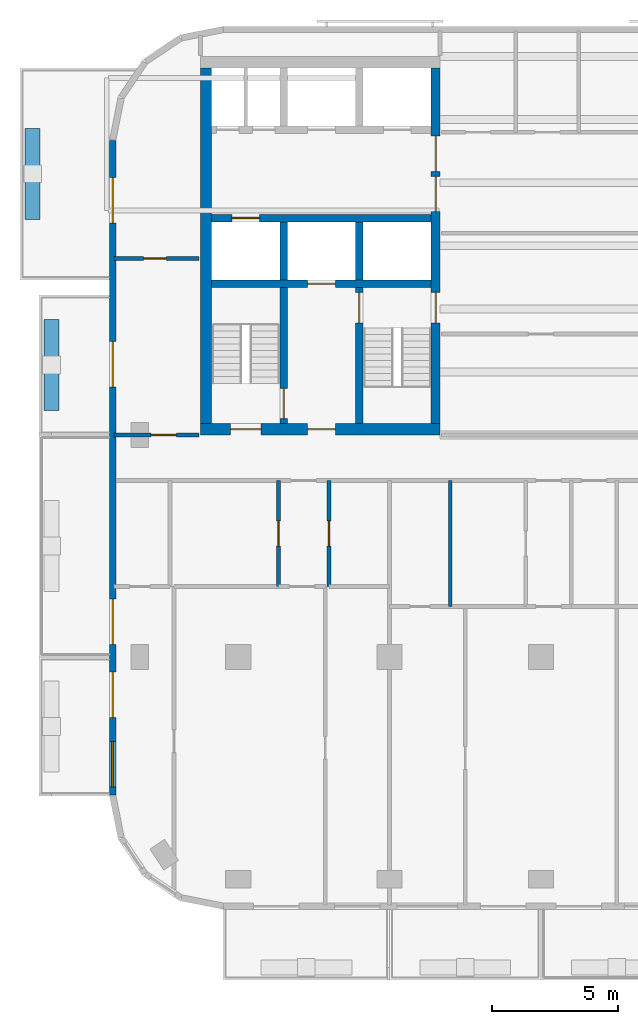
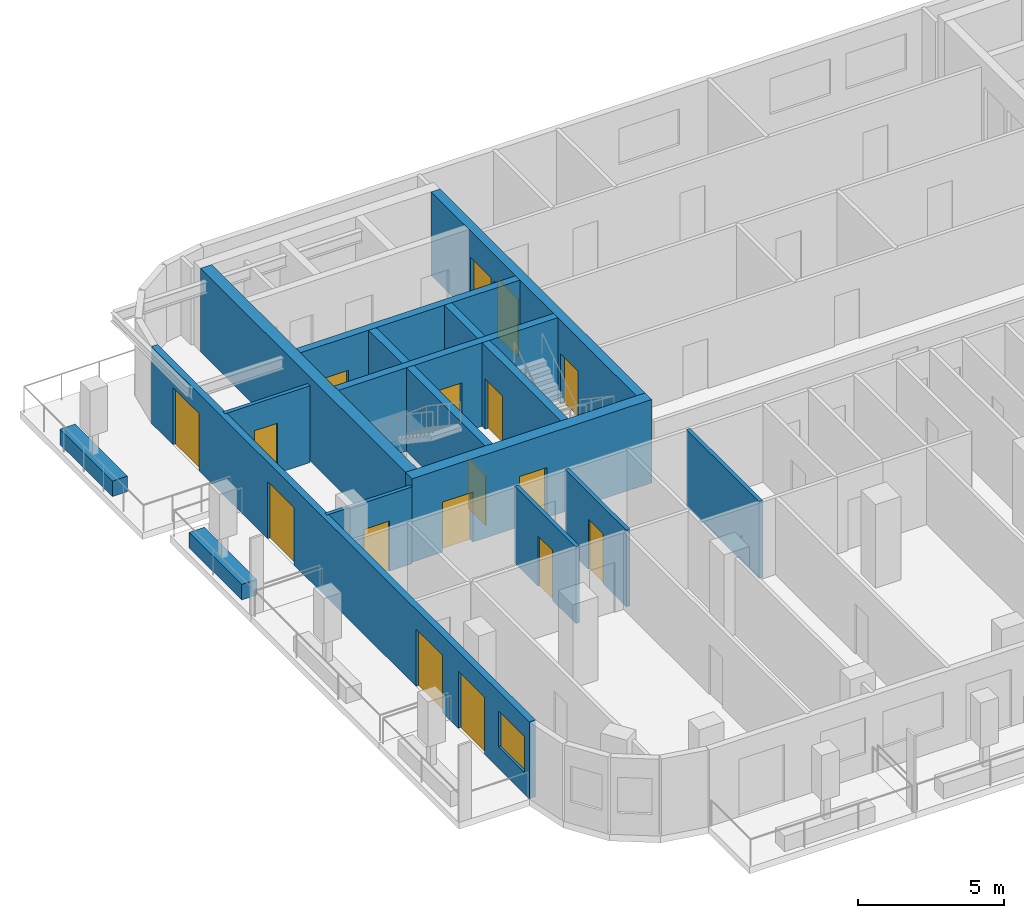
# One storey, part 3 of 11: 17 doors, 17 walls, 1 window, 18 openings.
"""IFC4 building model written with IfcOpenShell, lengths in metres."""

from ifc_helpers import new_model, si_unit, direction, frame, frame_2d, origin, place, context, subcontext, project, spatial, rectangle, extrude, material, layer, layer_set, type_object, element, fill, save


model = new_model("IFC4")

# Units and contexts
model_context = context("Model", 3, precision=1e-05, world=origin(), true_north=direction((0.0, 1.0)))
body_context = subcontext(model_context, "Body", "Model", "MODEL_VIEW")
ifc_project = project(units=[si_unit("LENGTHUNIT", "METRE"), si_unit("AREAUNIT", "SQUARE_METRE"), si_unit("VOLUMEUNIT", "CUBIC_METRE"), si_unit("PLANEANGLEUNIT", "RADIAN"), si_unit("MASSUNIT", "GRAM", prefix="KILO")], contexts=[model_context])

# Site, building, storey
site_placement = place(None, origin())
site = spatial("IfcSite", under=ifc_project, at=site_placement, CompositionType="ELEMENT")
building_placement = place(site_placement, origin())
building = spatial("IfcBuilding", under=site, at=building_placement, Name="Torana Hotel and Residences", CompositionType="ELEMENT")
storey_placement = place(building_placement, frame((0.0, 0.0, 284.10009765625)))
storey = spatial("IfcBuildingStorey", under=building, at=storey_placement, Name="L75", CompositionType="ELEMENT", Elevation=284.10009765625)

# Wall, opening, door
ifc_material_1 = material(Name="Concrete C60/75", Category="concrete")
ifc_layer_1 = layer(ifc_material_1, 0.300048828125)
ifc_layer_set_1 = layer_set([ifc_layer_1], Name="CORE WALL 300 C60/75")
wall_type_1 = type_object("IfcWallType", Name="CORE WALL 300 C60/75", PredefinedType="SHEAR", material=ifc_layer_set_1)
wall_1_placement = place(storey_placement, frame((-19.050048828125, -6.39990234375, 0.0), z_axis=(0.0, 0.0, 1.0), x_axis=(1.0, 0.0, 0.0)))
wall_1 = element("IfcWall", 1, at=wall_1_placement, inside=storey, type_object=wall_type_1, Name="Core wall W row-S", PredefinedType="SHEAR", context=body_context, shape_type="SweptSolid", body=[
    extrude(rectangle(XDim=8.699951171875, YDim=0.300048828125, at=frame_2d((4.35009765625, 0.0))), origin(), (0.0, 0.0, 1.0), 3.5),
])
opening_1_placement = place(wall_1_placement, frame((0.800048828125, 0.0, 0.0)))
opening_1 = element("IfcOpeningElement", 2, at=opening_1_placement, cuts=wall_1, Name="Opening LD", PredefinedType="OPENING", context=body_context, shape_type="SweptSolid", body=[
    extrude(rectangle(XDim=1.10009765625, YDim=2.10009765625, at=frame_2d((0.550048828125, 1.050048828125))), frame((0.0, 0.159912109375, 0.0), z_axis=(0.0, -1.0, 0.0), x_axis=(1.0, 0.0, 0.0)), (0.0, 0.0, 1.0), 0.320068359375),
])
ifc_material_2 = material(Name="Stainless steel 316", Category="steel")
door_type_1 = type_object("IfcDoorType", Name="LIFT LANDING DOOR LD 1100x2100", OperationType="DOUBLE_DOOR_SLIDING", PredefinedType="USERDEFINED", material=ifc_material_2)
door_1_placement = place(opening_1_placement, origin())
door_1 = element("IfcDoor", 3, at=door_1_placement, inside=storey, type_object=door_type_1, Name="Lift landing door SV1 L75", ObjectType="LIFT LANDING DOOR", OperationType="DOUBLE_DOOR_SLIDING", OverallHeight=2.10009765625, OverallWidth=1.10009765625, PredefinedType="USERDEFINED", context=body_context, shape_type="SweptSolid", body=[
    extrude(rectangle(XDim=1.10009765625, YDim=2.10009765625, at=frame_2d((0.550048828125, 1.050048828125))), frame((0.0, 0.02490234375, 0.0), z_axis=(0.0, -1.0, 0.0), x_axis=(1.0, 0.0, 0.0)), (0.0, 0.0, 1.0), 0.050048828125),
])
fill(opening_1, door_1)

wall_2_placement = place(storey_placement, frame((-19.050048828125, -9.0, 0.0), z_axis=(0.0, 0.0, 1.0), x_axis=(1.0, 0.0, 0.0)))
wall_2 = element("IfcWall", 4, at=wall_2_placement, inside=storey, type_object=wall_type_1, Name="Core wall W band", PredefinedType="SHEAR", context=body_context, shape_type="SweptSolid", body=[
    extrude(rectangle(XDim=8.699951171875, YDim=0.300048828125, at=frame_2d((4.35009765625, 0.0))), origin(), (0.0, 0.0, 1.0), 3.5),
])
opening_2_placement = place(wall_2_placement, frame((3.800048828125, 0.0, 0.0)))
opening_2 = element("IfcOpeningElement", 5, at=opening_2_placement, cuts=wall_2, Name="Opening LD", PredefinedType="OPENING", context=body_context, shape_type="SweptSolid", body=[
    extrude(rectangle(XDim=1.10009765625, YDim=2.10009765625, at=frame_2d((0.550048828125, 1.050048828125))), frame((0.0, 0.159912109375, 0.0), z_axis=(0.0, -1.0, 0.0), x_axis=(1.0, 0.0, 0.0)), (0.0, 0.0, 1.0), 0.320068359375),
])
door_2_placement = place(opening_2_placement, origin())
door_2 = element("IfcDoor", 6, at=door_2_placement, inside=storey, type_object=door_type_1, Name="Lift landing door FF1 L75", ObjectType="LIFT LANDING DOOR", OperationType="DOUBLE_DOOR_SLIDING", OverallHeight=2.10009765625, OverallWidth=1.10009765625, PredefinedType="USERDEFINED", context=body_context, shape_type="SweptSolid", body=[
    extrude(rectangle(XDim=1.10009765625, YDim=2.10009765625, at=frame_2d((0.550048828125, 1.050048828125))), frame((0.0, 0.02490234375, 0.0), z_axis=(0.0, -1.0, 0.0), x_axis=(1.0, 0.0, 0.0)), (0.0, 0.0, 1.0), 0.050048828125),
])
fill(opening_2, door_2)

# Wall
wall_3_placement = place(storey_placement, frame((-13.199951171875, -8.85009765625, 0.0), z_axis=(0.0, 0.0, 1.0), x_axis=(0.0, 1.0, 0.0)))
element("IfcWall", 7, at=wall_3_placement, inside=storey, type_object=wall_type_1, Name="Core wall W x3.05-S", PredefinedType="SHEAR", context=body_context, shape_type="SweptSolid", body=[
    extrude(rectangle(XDim=2.300048828125, YDim=0.300048828125, at=frame_2d((1.14990234375, 0.0))), origin(), (0.0, 0.0, 1.0), 3.5),
])

# Wall, opening, door
wall_4_placement = place(storey_placement, frame((-13.199951171875, -14.550048828125, 0.0), z_axis=(0.0, 0.0, 1.0), x_axis=(0.0, 1.0, 0.0)))
wall_4 = element("IfcWall", 8, at=wall_4_placement, inside=storey, type_object=wall_type_1, Name="Core wall W x3.05-band", PredefinedType="SHEAR", context=body_context, shape_type="SweptSolid", body=[
    extrude(rectangle(XDim=5.400146484375, YDim=0.300048828125, at=frame_2d((2.7001953125, 0.0))), origin(), (0.0, 0.0, 1.0), 3.5),
])
opening_3_placement = place(wall_4_placement, frame((4.0, 0.0, 0.0)))
opening_3 = element("IfcOpeningElement", 9, at=opening_3_placement, cuts=wall_4, Name="Opening L75-08", PredefinedType="OPENING", context=body_context, shape_type="SweptSolid", body=[
    extrude(rectangle(XDim=1.199951171875, YDim=2.10009765625, at=frame_2d((0.60009765625, 1.050048828125))), frame((0.0, 0.159912109375, 0.0), z_axis=(0.0, -1.0, 0.0), x_axis=(1.0, 0.0, 0.0)), (0.0, 0.0, 1.0), 0.320068359375),
])
ifc_material_3 = material(Name="Steel S235", Category="steel")
door_type_2 = type_object("IfcDoorType", Name="STAIR FIRE DOOR D3 1200x2100", OperationType="SINGLE_SWING_LEFT", PredefinedType="DOOR", material=ifc_material_3)
door_3_placement = place(opening_3_placement, frame((0.60009765625, 0.0, 0.0), z_axis=(0.0, 0.0, 1.0), x_axis=(-1.0, 0.0, 0.0)))
door_3 = element("IfcDoor", 10, at=door_3_placement, inside=storey, type_object=door_type_2, Name="Stair-A-lobby door L75", OperationType="SINGLE_SWING_RIGHT", OverallHeight=2.10009765625, OverallWidth=1.199951171875, PredefinedType="DOOR", context=body_context, shape_type="SweptSolid", body=[
    extrude(rectangle(XDim=1.199951171875, YDim=2.10009765625, at=frame_2d((0.0, 1.050048828125))), frame((0.0, -0.02490234375, 0.0), z_axis=(0.0, 1.0, 0.0), x_axis=(-1.0, 0.0, 0.0)), (0.0, 0.0, 1.0), 0.050048828125),
])
fill(opening_3, door_3)

# Wall
wall_5_placement = place(storey_placement, frame((-16.199951171875, -8.85009765625, 0.0), z_axis=(0.0, 0.0, 1.0), x_axis=(0.0, 1.0, 0.0)))
element("IfcWall", 11, at=wall_5_placement, inside=storey, type_object=wall_type_1, Name="Core wall W x6.05-S", PredefinedType="SHEAR", context=body_context, shape_type="SweptSolid", body=[
    extrude(rectangle(XDim=2.300048828125, YDim=0.300048828125, at=frame_2d((1.14990234375, 0.0))), origin(), (0.0, 0.0, 1.0), 3.5),
])

# Wall, opening, door
wall_6_placement = place(storey_placement, frame((-16.199951171875, -14.550048828125, 0.0), z_axis=(0.0, 0.0, 1.0), x_axis=(0.0, 1.0, 0.0)))
wall_6 = element("IfcWall", 12, at=wall_6_placement, inside=storey, type_object=wall_type_1, Name="Core wall W x6.05-band", PredefinedType="SHEAR", context=body_context, shape_type="SweptSolid", body=[
    extrude(rectangle(XDim=5.400146484375, YDim=0.300048828125, at=frame_2d((2.7001953125, 0.0))), origin(), (0.0, 0.0, 1.0), 3.5),
])
opening_4_placement = place(wall_6_placement, frame((0.199951171875, 0.0, 0.0)))
opening_4 = element("IfcOpeningElement", 13, at=opening_4_placement, cuts=wall_6, Name="Opening L75-09", PredefinedType="OPENING", context=body_context, shape_type="SweptSolid", body=[
    extrude(rectangle(XDim=1.199951171875, YDim=2.10009765625, at=frame_2d((0.60009765625, 1.050048828125))), frame((0.0, 0.159912109375, 0.0), z_axis=(0.0, -1.0, 0.0), x_axis=(1.0, 0.0, 0.0)), (0.0, 0.0, 1.0), 0.320068359375),
])
door_4_placement = place(opening_4_placement, origin())
door_4 = element("IfcDoor", 14, at=door_4_placement, inside=storey, type_object=door_type_2, Name="Stair-B-lobby door L75", OperationType="SINGLE_SWING_RIGHT", OverallHeight=2.10009765625, OverallWidth=1.199951171875, PredefinedType="DOOR", context=body_context, shape_type="SweptSolid", body=[
    extrude(rectangle(XDim=1.199951171875, YDim=2.10009765625, at=frame_2d((0.60009765625, 1.050048828125))), frame((0.0, 0.02490234375, 0.0), z_axis=(0.0, -1.0, 0.0), x_axis=(1.0, 0.0, 0.0)), (0.0, 0.0, 1.0), 0.050048828125),
])
fill(opening_4, door_4)

# Wall, openings, doors
ifc_material_4 = material(Name="Concrete C60/75", Category="concrete")
ifc_layer_2 = layer(ifc_material_4, 0.35009765625)
ifc_layer_set_2 = layer_set([ifc_layer_2], Name="CORE WALL 350 C60/75")
wall_type_2 = type_object("IfcWallType", Name="CORE WALL 350 C60/75", PredefinedType="SHEAR", material=ifc_layer_set_2)
wall_7_placement = place(storey_placement, frame((-10.175048828125, -14.550048828125, 0.0), z_axis=(0.0, 0.0, 1.0), x_axis=(0.0, 1.0, 0.0)))
wall_7 = element("IfcWall", 15, at=wall_7_placement, inside=storey, type_object=wall_type_2, Name="Core wall W arch", PredefinedType="SHEAR", context=body_context, shape_type="SweptSolid", body=[
    extrude(rectangle(XDim=14.10009765625, YDim=0.35009765625, at=frame_2d((7.050048828125, 0.0))), origin(), (0.0, 0.0, 1.0), 3.5),
])
opening_5_placement = place(wall_7_placement, frame((8.39990234375, 0.0, 0.0)))
opening_5 = element("IfcOpeningElement", 16, at=opening_5_placement, cuts=wall_7, Name="Opening L75-01", PredefinedType="OPENING", context=body_context, shape_type="SweptSolid", body=[
    extrude(rectangle(XDim=1.39990234375, YDim=2.39990234375, at=frame_2d((0.699951171875, 1.199951171875))), frame((0.0, 0.18505859375, 0.0), z_axis=(0.0, -1.0, 0.0), x_axis=(1.0, 0.0, 0.0)), (0.0, 0.0, 1.0), 0.3701171875),
])
opening_6_placement = place(wall_7_placement, frame((10.0, 0.0, 0.0)))
opening_6 = element("IfcOpeningElement", 17, at=opening_6_placement, cuts=wall_7, Name="Opening L75-02", PredefinedType="OPENING", context=body_context, shape_type="SweptSolid", body=[
    extrude(rectangle(XDim=1.39990234375, YDim=2.39990234375, at=frame_2d((0.699951171875, 1.199951171875))), frame((0.0, 0.18505859375, 0.0), z_axis=(0.0, -1.0, 0.0), x_axis=(1.0, 0.0, 0.0)), (0.0, 0.0, 1.0), 0.3701171875),
])
opening_7_placement = place(wall_7_placement, frame((4.0, 0.0, 0.0)))
opening_7 = element("IfcOpeningElement", 18, at=opening_7_placement, cuts=wall_7, Name="Opening L75-03", PredefinedType="OPENING", context=body_context, shape_type="SweptSolid", body=[
    extrude(rectangle(XDim=1.199951171875, YDim=2.10009765625, at=frame_2d((0.60009765625, 1.050048828125))), frame((0.0, 0.18505859375, 0.0), z_axis=(0.0, -1.0, 0.0), x_axis=(1.0, 0.0, 0.0)), (0.0, 0.0, 1.0), 0.3701171875),
])
ifc_material_5 = material(Name="Steel S235", Category="steel")
door_type_3 = type_object("IfcDoorType", Name="LOBBY FIRE DOOR D4 1400x2400", OperationType="DOUBLE_DOOR_SINGLE_SWING", PredefinedType="DOOR", material=ifc_material_5)
door_5_placement = place(opening_5_placement, origin())
door_5 = element("IfcDoor", 19, at=door_5_placement, inside=storey, type_object=door_type_3, Name="Lobby-1 door L75", OperationType="DOUBLE_DOOR_SINGLE_SWING", OverallHeight=2.39990234375, OverallWidth=1.39990234375, PredefinedType="DOOR", context=body_context, shape_type="SweptSolid", body=[
    extrude(rectangle(XDim=1.39990234375, YDim=2.39990234375, at=frame_2d((0.699951171875, 1.199951171875))), frame((0.0, 0.02490234375, 0.0), z_axis=(0.0, -1.0, 0.0), x_axis=(1.0, 0.0, 0.0)), (0.0, 0.0, 1.0), 0.050048828125),
])
fill(opening_5, door_5)
door_6_placement = place(opening_6_placement, origin())
door_6 = element("IfcDoor", 20, at=door_6_placement, inside=storey, type_object=door_type_3, Name="Lobby-2 door L75", OperationType="DOUBLE_DOOR_SINGLE_SWING", OverallHeight=2.39990234375, OverallWidth=1.39990234375, PredefinedType="DOOR", context=body_context, shape_type="SweptSolid", body=[
    extrude(rectangle(XDim=1.39990234375, YDim=2.39990234375, at=frame_2d((0.699951171875, 1.199951171875))), frame((0.0, 0.02490234375, 0.0), z_axis=(0.0, -1.0, 0.0), x_axis=(1.0, 0.0, 0.0)), (0.0, 0.0, 1.0), 0.050048828125),
])
fill(opening_6, door_6)
door_7_placement = place(opening_7_placement, origin())
door_7 = element("IfcDoor", 21, at=door_7_placement, inside=storey, type_object=door_type_2, Name="Stair-A door L75", OperationType="SINGLE_SWING_LEFT", OverallHeight=2.10009765625, OverallWidth=1.199951171875, PredefinedType="DOOR", context=body_context, shape_type="SweptSolid", body=[
    extrude(rectangle(XDim=1.199951171875, YDim=2.10009765625, at=frame_2d((0.60009765625, 1.050048828125))), frame((0.0, 0.02490234375, 0.0), z_axis=(0.0, -1.0, 0.0), x_axis=(1.0, 0.0, 0.0)), (0.0, 0.0, 1.0), 0.050048828125),
])
fill(opening_7, door_7)

ifc_material_6 = material(Name="Concrete C60/75", Category="concrete")
ifc_layer_3 = layer(ifc_material_6, 0.449951171875)
ifc_layer_set_3 = layer_set([ifc_layer_3], Name="CORE WALL 450 C60/75")
wall_type_3 = type_object("IfcWallType", Name="CORE WALL 450 C60/75", PredefinedType="SHEAR", material=ifc_layer_set_3)
wall_8_placement = place(storey_placement, frame((-19.5, -14.77490234375, 0.0), z_axis=(0.0, 0.0, 1.0), x_axis=(1.0, 0.0, 0.0)))
wall_8 = element("IfcWall", 22, at=wall_8_placement, inside=storey, type_object=wall_type_3, Name="Core wall W front", PredefinedType="SHEAR", context=body_context, shape_type="SweptSolid", body=[
    extrude(rectangle(XDim=9.5, YDim=0.449951171875, at=frame_2d((4.75, 0.0))), origin(), (0.0, 0.0, 1.0), 3.5),
])
opening_8_placement = place(wall_8_placement, frame((1.199951171875, 0.0, 0.0)))
opening_8 = element("IfcOpeningElement", 23, at=opening_8_placement, cuts=wall_8, Name="Opening L75-04", PredefinedType="OPENING", context=body_context, shape_type="SweptSolid", body=[
    extrude(rectangle(XDim=1.199951171875, YDim=2.10009765625, at=frame_2d((0.60009765625, 1.050048828125))), frame((0.0, 0.23486328125, 0.0), z_axis=(0.0, -1.0, 0.0), x_axis=(1.0, 0.0, 0.0)), (0.0, 0.0, 1.0), 0.469970703125),
])
opening_9_placement = place(wall_8_placement, frame((4.25, 0.0, 0.0)))
opening_9 = element("IfcOpeningElement", 24, at=opening_9_placement, cuts=wall_8, Name="Opening L75-05", PredefinedType="OPENING", context=body_context, shape_type="SweptSolid", body=[
    extrude(rectangle(XDim=1.10009765625, YDim=2.10009765625, at=frame_2d((0.550048828125, 1.050048828125))), frame((0.0, 0.23486328125, 0.0), z_axis=(0.0, -1.0, 0.0), x_axis=(1.0, 0.0, 0.0)), (0.0, 0.0, 1.0), 0.469970703125),
])
ifc_material_7 = material(Name="Steel S235", Category="steel")
door_type_4 = type_object("IfcDoorType", Name="FIRE-FIGHTING LOBBY DOOR D8 1100x2100", OperationType="SINGLE_SWING_LEFT", PredefinedType="DOOR", material=ifc_material_7)
door_8_placement = place(opening_9_placement, origin())
door_8 = element("IfcDoor", 25, at=door_8_placement, inside=storey, type_object=door_type_4, Name="FF-lobby door L75", OperationType="SINGLE_SWING_RIGHT", OverallHeight=2.10009765625, OverallWidth=1.10009765625, PredefinedType="DOOR", context=body_context, shape_type="SweptSolid", body=[
    extrude(rectangle(XDim=1.10009765625, YDim=2.10009765625, at=frame_2d((0.550048828125, 1.050048828125))), frame((0.0, 0.02490234375, 0.0), z_axis=(0.0, -1.0, 0.0), x_axis=(1.0, 0.0, 0.0)), (0.0, 0.0, 1.0), 0.050048828125),
])
fill(opening_9, door_8)
door_9_placement = place(opening_8_placement, origin())
door_9 = element("IfcDoor", 26, at=door_9_placement, inside=storey, type_object=door_type_2, Name="Stair-B door L75", OperationType="SINGLE_SWING_RIGHT", OverallHeight=2.10009765625, OverallWidth=1.199951171875, PredefinedType="DOOR", context=body_context, shape_type="SweptSolid", body=[
    extrude(rectangle(XDim=1.199951171875, YDim=2.10009765625, at=frame_2d((0.60009765625, 1.050048828125))), frame((0.0, 0.02490234375, 0.0), z_axis=(0.0, -1.0, 0.0), x_axis=(1.0, 0.0, 0.0)), (0.0, 0.0, 1.0), 0.050048828125),
])
fill(opening_8, door_9)

# Wall
wall_9_placement = place(storey_placement, frame((-19.27490234375, -14.550048828125, 0.0), z_axis=(0.0, 0.0, 1.0), x_axis=(0.0, 1.0, 0.0)))
element("IfcWall", 27, at=wall_9_placement, inside=storey, type_object=wall_type_3, Name="Core wall W outer", PredefinedType="SHEAR", context=body_context, shape_type="SweptSolid", body=[
    extrude(rectangle(XDim=14.10009765625, YDim=0.449951171875, at=frame_2d((7.050048828125, 0.0))), origin(), (0.0, 0.0, 1.0), 3.5),
])

# Wall, openings, doors, window
ifc_material_8 = material(Name="Black aluminium composite panel", Category="aluminium")
ifc_layer_4 = layer(ifc_material_8, 0.00390625, Name="Cladding", Category="cladding")
ifc_material_9 = material(Name="Ventilated air cavity")
ifc_layer_5 = layer(ifc_material_9, 0.0400390625, Name="Ventilated cavity", Category="cavity")
ifc_material_10 = material(Name="Mineral wool insulation")
ifc_layer_6 = layer(ifc_material_10, 0.090087890625, Name="Insulation", Category="insulation")
ifc_material_11 = material(Name="Steel S280GD", Category="steel")
ifc_layer_7 = layer(ifc_material_11, 0.092041015625, Name="Steel stud frame", Category="structure")
ifc_material_12 = material(Name="Fire rated plasterboard")
ifc_layer_8 = layer(ifc_material_12, 0.011962890625, Name="Inner board", Category="finish")
ifc_layer_9 = layer(ifc_material_12, 0.011962890625, Name="Second board", Category="finish")
ifc_layer_set_4 = layer_set([ifc_layer_4, ifc_layer_5, ifc_layer_6, ifc_layer_7, ifc_layer_8, ifc_layer_9], Name="EW1 EXTERNAL WALL BLACK METAL CLAD 250")
wall_type_4 = type_object("IfcWallType", Name="EW1 EXTERNAL WALL BLACK METAL CLAD 250", PredefinedType="SOLIDWALL", material=ifc_layer_set_4)
wall_10_placement = place(storey_placement, frame((-22.97509765625, -3.32470703125, 0.0), z_axis=(0.0, 0.0, 1.0), x_axis=(0.0, -1.0, 0.0)))
wall_10 = element("IfcWall", 28, at=wall_10_placement, inside=storey, type_object=wall_type_4, Name="External wall L75 e0.9", PredefinedType="SOLIDWALL", context=body_context, shape_type="SweptSolid", body=[
    extrude(rectangle(XDim=25.95068359375, YDim=0.25, at=frame_2d((12.975341796875, 0.0))), origin(), (0.0, 0.0, 1.0), 3.219970703125),
])
opening_10_placement = place(wall_10_placement, frame((1.475341796875, 0.0, 0.0)))
opening_10 = element("IfcOpeningElement", 29, at=opening_10_placement, cuts=wall_10, Name="Opening L75-E11", PredefinedType="OPENING", context=body_context, shape_type="SweptSolid", body=[
    extrude(rectangle(XDim=1.800048828125, YDim=2.39990234375, at=frame_2d((0.89990234375, 1.199951171875))), frame((0.0, 0.135009765625, 0.0), z_axis=(0.0, -1.0, 0.0), x_axis=(1.0, 0.0, 0.0)), (0.0, 0.0, 1.0), 0.27001953125),
])
opening_11_placement = place(wall_10_placement, frame((7.975341796875, 0.0, 0.0)))
opening_11 = element("IfcOpeningElement", 30, at=opening_11_placement, cuts=wall_10, Name="Opening L75-E12", PredefinedType="OPENING", context=body_context, shape_type="SweptSolid", body=[
    extrude(rectangle(XDim=1.800048828125, YDim=2.39990234375, at=frame_2d((0.89990234375, 1.199951171875))), frame((0.0, 0.135009765625, 0.0), z_axis=(0.0, -1.0, 0.0), x_axis=(1.0, 0.0, 0.0)), (0.0, 0.0, 1.0), 0.27001953125),
])
opening_12_placement = place(wall_10_placement, frame((18.17529296875, 0.0, 0.0)))
opening_12 = element("IfcOpeningElement", 31, at=opening_12_placement, cuts=wall_10, Name="Opening L75-E13", PredefinedType="OPENING", context=body_context, shape_type="SweptSolid", body=[
    extrude(rectangle(XDim=1.800048828125, YDim=2.39990234375, at=frame_2d((0.89990234375, 1.199951171875))), frame((0.0, 0.135009765625, 0.0), z_axis=(0.0, -1.0, 0.0), x_axis=(1.0, 0.0, 0.0)), (0.0, 0.0, 1.0), 0.27001953125),
])
opening_13_placement = place(wall_10_placement, frame((21.075439453125, 0.0, 0.0)))
opening_13 = element("IfcOpeningElement", 32, at=opening_13_placement, cuts=wall_10, Name="Opening L75-E14", PredefinedType="OPENING", context=body_context, shape_type="SweptSolid", body=[
    extrude(rectangle(XDim=1.800048828125, YDim=2.39990234375, at=frame_2d((0.89990234375, 1.199951171875))), frame((0.0, 0.135009765625, 0.0), z_axis=(0.0, -1.0, 0.0), x_axis=(1.0, 0.0, 0.0)), (0.0, 0.0, 1.0), 0.27001953125),
])
opening_14_placement = place(wall_10_placement, frame((23.825439453125, 0.0, 0.89990234375)))
opening_14 = element("IfcOpeningElement", 33, at=opening_14_placement, cuts=wall_10, Name="Opening W4", PredefinedType="OPENING", context=body_context, shape_type="SweptSolid", body=[
    extrude(rectangle(XDim=1.800048828125, YDim=1.5, at=frame_2d((0.89990234375, 0.75))), frame((0.0, 0.135009765625, 0.0), z_axis=(0.0, -1.0, 0.0), x_axis=(1.0, 0.0, 0.0)), (0.0, 0.0, 1.0), 0.27001953125),
])
ifc_material_13 = material(Name="Dark glass in black aluminium frame", Category="aluminium")
door_type_5 = type_object("IfcDoorType", Name="DB1 BALCONY DOOR 1800x2400", OperationType="DOUBLE_DOOR_SINGLE_SWING", PredefinedType="DOOR", material=ifc_material_13)
door_10_placement = place(opening_10_placement, origin())
door_10 = element("IfcDoor", 34, at=door_10_placement, inside=storey, type_object=door_type_5, Name="Balcony door L75", OperationType="DOUBLE_DOOR_SINGLE_SWING", OverallHeight=2.39990234375, OverallWidth=1.800048828125, PredefinedType="DOOR", context=body_context, shape_type="SweptSolid", body=[
    extrude(rectangle(XDim=1.800048828125, YDim=2.39990234375, at=frame_2d((0.89990234375, 1.199951171875))), frame((0.0, 0.02490234375, 0.0), z_axis=(0.0, -1.0, 0.0), x_axis=(1.0, 0.0, 0.0)), (0.0, 0.0, 1.0), 0.050048828125),
])
fill(opening_10, door_10)
door_11_placement = place(opening_11_placement, origin())
door_11 = element("IfcDoor", 35, at=door_11_placement, inside=storey, type_object=door_type_5, Name="Balcony door L75", OperationType="DOUBLE_DOOR_SINGLE_SWING", OverallHeight=2.39990234375, OverallWidth=1.800048828125, PredefinedType="DOOR", context=body_context, shape_type="SweptSolid", body=[
    extrude(rectangle(XDim=1.800048828125, YDim=2.39990234375, at=frame_2d((0.89990234375, 1.199951171875))), frame((0.0, 0.02490234375, 0.0), z_axis=(0.0, -1.0, 0.0), x_axis=(1.0, 0.0, 0.0)), (0.0, 0.0, 1.0), 0.050048828125),
])
fill(opening_11, door_11)
door_12_placement = place(opening_12_placement, origin())
door_12 = element("IfcDoor", 36, at=door_12_placement, inside=storey, type_object=door_type_5, Name="Balcony door L75", OperationType="DOUBLE_DOOR_SINGLE_SWING", OverallHeight=2.39990234375, OverallWidth=1.800048828125, PredefinedType="DOOR", context=body_context, shape_type="SweptSolid", body=[
    extrude(rectangle(XDim=1.800048828125, YDim=2.39990234375, at=frame_2d((0.89990234375, 1.199951171875))), frame((0.0, 0.02490234375, 0.0), z_axis=(0.0, -1.0, 0.0), x_axis=(1.0, 0.0, 0.0)), (0.0, 0.0, 1.0), 0.050048828125),
])
fill(opening_12, door_12)
door_13_placement = place(opening_13_placement, origin())
door_13 = element("IfcDoor", 37, at=door_13_placement, inside=storey, type_object=door_type_5, Name="Balcony door L75", OperationType="DOUBLE_DOOR_SINGLE_SWING", OverallHeight=2.39990234375, OverallWidth=1.800048828125, PredefinedType="DOOR", context=body_context, shape_type="SweptSolid", body=[
    extrude(rectangle(XDim=1.800048828125, YDim=2.39990234375, at=frame_2d((0.89990234375, 1.199951171875))), frame((0.0, 0.02490234375, 0.0), z_axis=(0.0, -1.0, 0.0), x_axis=(1.0, 0.0, 0.0)), (0.0, 0.0, 1.0), 0.050048828125),
])
fill(opening_13, door_13)
ifc_material_14 = material(Name="Dark glass in black aluminium frame", Category="aluminium")
window_type = type_object("IfcWindowType", Name="W4 RESIDENCE WINDOW NARROW 1800x1500", PartitioningType="SINGLE_PANEL", PredefinedType="WINDOW", material=ifc_material_14)
window_placement = place(opening_14_placement, origin())
window = element("IfcWindow", 38, at=window_placement, inside=storey, type_object=window_type, Name="Window L75", OverallHeight=1.5, OverallWidth=1.800048828125, PartitioningType="SINGLE_PANEL", PredefinedType="WINDOW", context=body_context, shape_type="SweptSolid", body=[
    extrude(rectangle(XDim=1.800048828125, YDim=1.5, at=frame_2d((0.89990234375, 0.75))), frame((0.0, 0.030029296875, 0.0), z_axis=(0.0, -1.0, 0.0), x_axis=(1.0, 0.0, 0.0)), (0.0, 0.0, 1.0), 0.06005859375),
])
fill(opening_14, window)

# Wall, opening, door
ifc_material_15 = material(Name="Gypsum plaster")
ifc_layer_10 = layer(ifc_material_15, 0.014892578125, Name="Plaster", Category="finish")
ifc_material_16 = material(Name="Concrete blockwork", Category="masonry")
ifc_layer_11 = layer(ifc_material_16, 0.1201171875, Name="Blockwork", Category="structure")
ifc_layer_12 = layer(ifc_material_15, 0.014892578125, Name="Plaster", Category="finish")
ifc_layer_set_5 = layer_set([ifc_layer_10, ifc_layer_11, ifc_layer_12], Name="FIRE PARTITION 150 BLOCKWORK")
wall_type_5 = type_object("IfcWallType", Name="FIRE PARTITION 150 BLOCKWORK", PredefinedType="PARTITIONING", material=ifc_layer_set_5)
wall_11_placement = place(storey_placement, frame((-14.39990234375, -21.0, 0.0), z_axis=(0.0, 0.0, 1.0), x_axis=(0.0, 1.0, 0.0)))
wall_11 = element("IfcWall", 39, at=wall_11_placement, inside=storey, type_object=wall_type_5, Name="Partition L75", PredefinedType="PARTITIONING", context=body_context, shape_type="SweptSolid", body=[
    extrude(rectangle(XDim=4.199951171875, YDim=0.14990234375, at=frame_2d((2.10009765625, 0.0))), origin(), (0.0, 0.0, 1.0), 3.219970703125),
])
opening_15_placement = place(wall_11_placement, frame((1.60009765625, 0.0, 0.0)))
opening_15 = element("IfcOpeningElement", 40, at=opening_15_placement, cuts=wall_11, Name="Opening L75-45", PredefinedType="OPENING", context=body_context, shape_type="SweptSolid", body=[
    extrude(rectangle(XDim=1.0, YDim=2.10009765625, at=frame_2d((0.5, 1.050048828125))), frame((0.0, 0.0849609375, 0.0), z_axis=(0.0, -1.0, 0.0), x_axis=(1.0, 0.0, 0.0)), (0.0, 0.0, 1.0), 0.169921875),
])
ifc_material_17 = material(Name="Steel S235", Category="steel")
door_type_6 = type_object("IfcDoorType", Name="ENTRY FIRE DOOR D6 1000x2100", OperationType="SINGLE_SWING_LEFT", PredefinedType="DOOR", material=ifc_material_17)
door_14_placement = place(opening_15_placement, frame((0.5, 0.0, 0.0), z_axis=(0.0, 0.0, 1.0), x_axis=(-1.0, 0.0, 0.0)))
door_14 = element("IfcDoor", 41, at=door_14_placement, inside=storey, type_object=door_type_6, Name="Door L75", OperationType="SINGLE_SWING_LEFT", OverallHeight=2.10009765625, OverallWidth=1.0, PredefinedType="DOOR", context=body_context, shape_type="SweptSolid", body=[
    extrude(rectangle(XDim=1.0, YDim=2.10009765625, at=frame_2d((0.0, 1.050048828125))), frame((0.0, -0.02490234375, 0.0), z_axis=(0.0, 1.0, 0.0), x_axis=(-1.0, 0.0, 0.0)), (0.0, 0.0, 1.0), 0.050048828125),
])
fill(opening_15, door_14)

wall_12_placement = place(storey_placement, frame((-16.39990234375, -21.0, 0.0), z_axis=(0.0, 0.0, 1.0), x_axis=(0.0, 1.0, 0.0)))
wall_12 = element("IfcWall", 42, at=wall_12_placement, inside=storey, type_object=wall_type_5, Name="Partition L75", PredefinedType="PARTITIONING", context=body_context, shape_type="SweptSolid", body=[
    extrude(rectangle(XDim=4.199951171875, YDim=0.14990234375, at=frame_2d((2.10009765625, 0.0))), origin(), (0.0, 0.0, 1.0), 3.219970703125),
])
opening_16_placement = place(wall_12_placement, frame((1.60009765625, 0.0, 0.0)))
opening_16 = element("IfcOpeningElement", 43, at=opening_16_placement, cuts=wall_12, Name="Opening L75-46", PredefinedType="OPENING", context=body_context, shape_type="SweptSolid", body=[
    extrude(rectangle(XDim=1.0, YDim=2.10009765625, at=frame_2d((0.5, 1.050048828125))), frame((0.0, 0.0849609375, 0.0), z_axis=(0.0, -1.0, 0.0), x_axis=(1.0, 0.0, 0.0)), (0.0, 0.0, 1.0), 0.169921875),
])
door_15_placement = place(opening_16_placement, origin())
door_15 = element("IfcDoor", 44, at=door_15_placement, inside=storey, type_object=door_type_6, Name="Door L75", OperationType="SINGLE_SWING_RIGHT", OverallHeight=2.10009765625, OverallWidth=1.0, PredefinedType="DOOR", context=body_context, shape_type="SweptSolid", body=[
    extrude(rectangle(XDim=1.0, YDim=2.10009765625, at=frame_2d((0.5, 1.050048828125))), frame((0.0, 0.02490234375, 0.0), z_axis=(0.0, -1.0, 0.0), x_axis=(1.0, 0.0, 0.0)), (0.0, 0.0, 1.0), 0.050048828125),
])
fill(opening_16, door_15)

wall_13_placement = place(storey_placement, frame((-22.919921875, -15.0, 0.0), z_axis=(0.0, 0.0, 1.0), x_axis=(1.0, 0.0, 0.0)))
wall_13 = element("IfcWall", 45, at=wall_13_placement, inside=storey, type_object=wall_type_5, Name="Partition L75", PredefinedType="PARTITIONING", context=body_context, shape_type="SweptSolid", body=[
    extrude(rectangle(XDim=3.369873046875, YDim=0.14990234375, at=frame_2d((1.68505859375, 0.0))), origin(), (0.0, 0.0, 1.0), 3.219970703125),
])
opening_17_placement = place(wall_13_placement, frame((1.469970703125, 0.0, 0.0)))
opening_17 = element("IfcOpeningElement", 46, at=opening_17_placement, cuts=wall_13, Name="Opening L75-28", PredefinedType="OPENING", context=body_context, shape_type="SweptSolid", body=[
    extrude(rectangle(XDim=1.0, YDim=2.10009765625, at=frame_2d((0.5, 1.050048828125))), frame((0.0, 0.0849609375, 0.0), z_axis=(0.0, -1.0, 0.0), x_axis=(1.0, 0.0, 0.0)), (0.0, 0.0, 1.0), 0.169921875),
])
ifc_material_18 = material(Name="Steel S235", Category="steel")
door_type_7 = type_object("IfcDoorType", Name="CORE ROOM FIRE DOOR D14 1000x2100", OperationType="SINGLE_SWING_LEFT", PredefinedType="DOOR", material=ifc_material_18)
door_16_placement = place(opening_17_placement, origin())
door_16 = element("IfcDoor", 47, at=door_16_placement, inside=storey, type_object=door_type_7, Name="Door L75", OperationType="SINGLE_SWING_RIGHT", OverallHeight=2.10009765625, OverallWidth=1.0, PredefinedType="DOOR", context=body_context, shape_type="SweptSolid", body=[
    extrude(rectangle(XDim=1.0, YDim=2.10009765625, at=frame_2d((0.5, 1.050048828125))), frame((0.0, 0.02490234375, 0.0), z_axis=(0.0, -1.0, 0.0), x_axis=(1.0, 0.0, 0.0)), (0.0, 0.0, 1.0), 0.050048828125),
])
fill(opening_17, door_16)

# Walls
ifc_material_19 = material(Name="Gypsum plasterboard")
ifc_layer_13 = layer(ifc_material_19, 0.012451171875, Name="Plasterboard", Category="finish")
ifc_layer_14 = layer(ifc_material_19, 0.012451171875, Name="Plasterboard", Category="finish")
ifc_layer_15 = layer(ifc_material_11, 0.10009765625, Name="Steel studs with mineral wool", Category="insulation")
ifc_layer_16 = layer(ifc_material_19, 0.012451171875, Name="Plasterboard", Category="finish")
ifc_layer_17 = layer(ifc_material_19, 0.012451171875, Name="Plasterboard", Category="finish")
ifc_layer_set_6 = layer_set([ifc_layer_13, ifc_layer_14, ifc_layer_15, ifc_layer_16, ifc_layer_17], Name="PARTITION 150 PLASTERBOARD")
wall_type_6 = type_object("IfcWallType", Name="PARTITION 150 PLASTERBOARD", PredefinedType="PARTITIONING", material=ifc_layer_set_6)
wall_14_placement = place(storey_placement, frame((-9.60009765625, -21.800048828125, 0.0), z_axis=(0.0, 0.0, 1.0), x_axis=(0.0, 1.0, 0.0)))
element("IfcWall", 48, at=wall_14_placement, inside=storey, type_object=wall_type_6, Name="Partition L75", PredefinedType="PARTITIONING", context=body_context, shape_type="SweptSolid", body=[
    extrude(rectangle(XDim=5.0, YDim=0.14990234375, at=frame_2d((2.5, 0.0))), origin(), (0.0, 0.0, 1.0), 3.219970703125),
])
ifc_material_20 = material(Name="Concrete C40/50 precast", Category="concrete")
ifc_layer_18 = layer(ifc_material_20, 0.10009765625, Name="Planter shell", Category="structure")
ifc_material_21 = material(Name="Root resistant membrane")
ifc_layer_19 = layer(ifc_material_21, 0.00390625, Name="Waterproofing membrane", Category="membrane")
ifc_material_22 = material(Name="Drainage board with filter fleece")
ifc_layer_20 = layer(ifc_material_22, 0.02001953125, Name="Drainage board", Category="drainage")
ifc_material_23 = material(Name="Growing medium")
ifc_layer_21 = layer(ifc_material_23, 0.47607421875, Name="Planting substrate", Category="soil")
ifc_layer_set_7 = layer_set([ifc_layer_18, ifc_layer_19, ifc_layer_20, ifc_layer_21], Name="PL1 BALCONY PLANTER 600")
wall_type_7 = type_object("IfcWallType", Name="PL1 BALCONY PLANTER 600", PredefinedType="USERDEFINED", material=ifc_layer_set_7)
for number, where, z_axis, x_axis, name in (
    (49, (-25.39990234375, -14.02490234375, 0.0), (0.0, 0.0, 1.0), (0.0, 1.0, 0.0), "Planter 09"),
    (50, (-26.14990234375, -6.449951171875, 0.0), (0.0, 0.0, 1.0), (0.0, 1.0, 0.0), "Planter 10"),
):
    element("IfcWall", number, at=place(storey_placement, frame(where, z_axis=z_axis, x_axis=x_axis)), inside=storey, type_object=wall_type_7, Name=name, ObjectType="PLANTER", PredefinedType="USERDEFINED", context=body_context, shape_type="SweptSolid", body=[
        extrude(rectangle(XDim=3.599853515625, YDim=0.60009765625, at=frame_2d((1.7998046875, 0.0))), origin(), (0.0, 0.0, 1.0), 0.64990234375),
    ])

# Wall, opening, door
ifc_material_24 = material(Name="Ceramic tile on adhesive")
ifc_layer_22 = layer(ifc_material_24, 0.010009765625, Name="Wall tile", Category="finish")
ifc_material_25 = material(Name="Cement render")
ifc_layer_23 = layer(ifc_material_25, 0.010009765625, Name="Render", Category="finish")
ifc_layer_24 = layer(ifc_material_16, 0.110107421875, Name="Blockwork", Category="structure")
ifc_layer_25 = layer(ifc_material_25, 0.010009765625, Name="Render", Category="finish")
ifc_layer_26 = layer(ifc_material_24, 0.010009765625, Name="Wall tile", Category="finish")
ifc_layer_set_8 = layer_set([ifc_layer_22, ifc_layer_23, ifc_layer_24, ifc_layer_25, ifc_layer_26], Name="WC PARTITION 150")
wall_type_8 = type_object("IfcWallType", Name="WC PARTITION 150", PredefinedType="PLUMBINGWALL", material=ifc_layer_set_8)
wall_15_placement = place(storey_placement, frame((-22.919921875, -8.0, 0.0), z_axis=(0.0, 0.0, 1.0), x_axis=(1.0, 0.0, 0.0)))
wall_15 = element("IfcWall", 51, at=wall_15_placement, inside=storey, type_object=wall_type_8, Name="Partition L75", PredefinedType="PLUMBINGWALL", context=body_context, shape_type="SweptSolid", body=[
    extrude(rectangle(XDim=3.369873046875, YDim=0.14990234375, at=frame_2d((1.68505859375, 0.0))), origin(), (0.0, 0.0, 1.0), 3.219970703125),
])
opening_18_placement = place(wall_15_placement, frame((1.169921875, 0.0, 0.0)))
opening_18 = element("IfcOpeningElement", 52, at=opening_18_placement, cuts=wall_15, Name="Opening L75-59", PredefinedType="OPENING", context=body_context, shape_type="SweptSolid", body=[
    extrude(rectangle(XDim=0.89990234375, YDim=2.10009765625, at=frame_2d((0.449951171875, 1.050048828125))), frame((0.0, 0.0849609375, 0.0), z_axis=(0.0, -1.0, 0.0), x_axis=(1.0, 0.0, 0.0)), (0.0, 0.0, 1.0), 0.169921875),
])
ifc_material_26 = material(Name="Timber door, oiled ash", Category="wood")
door_type_8 = type_object("IfcDoorType", Name="ROOM DOOR D7 900x2100", OperationType="SINGLE_SWING_LEFT", PredefinedType="DOOR", material=ifc_material_26)
door_17_placement = place(opening_18_placement, origin())
door_17 = element("IfcDoor", 53, at=door_17_placement, inside=storey, type_object=door_type_8, Name="Door L75", OperationType="SINGLE_SWING_RIGHT", OverallHeight=2.10009765625, OverallWidth=0.89990234375, PredefinedType="DOOR", context=body_context, shape_type="SweptSolid", body=[
    extrude(rectangle(XDim=0.89990234375, YDim=2.10009765625, at=frame_2d((0.449951171875, 1.050048828125))), frame((0.0, 0.02490234375, 0.0), z_axis=(0.0, -1.0, 0.0), x_axis=(1.0, 0.0, 0.0)), (0.0, 0.0, 1.0), 0.050048828125),
])
fill(opening_18, door_17)

save(model, "model.ifc")
